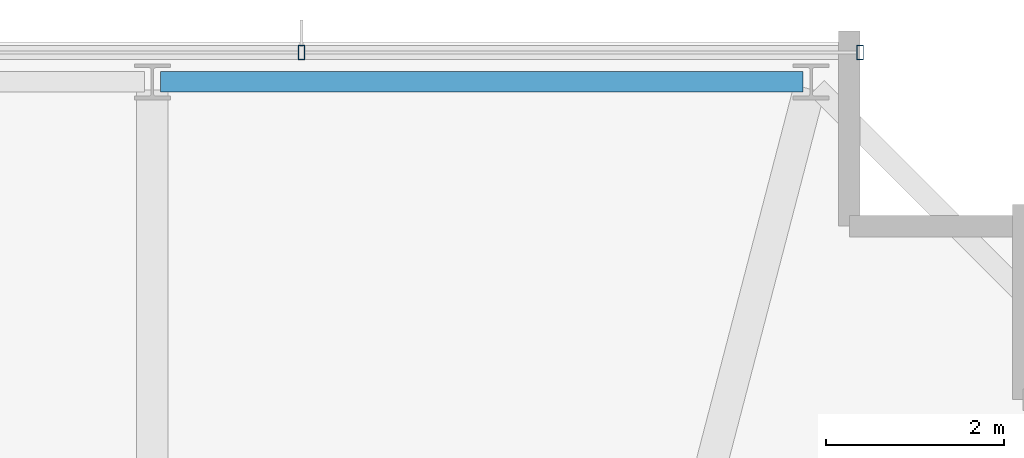
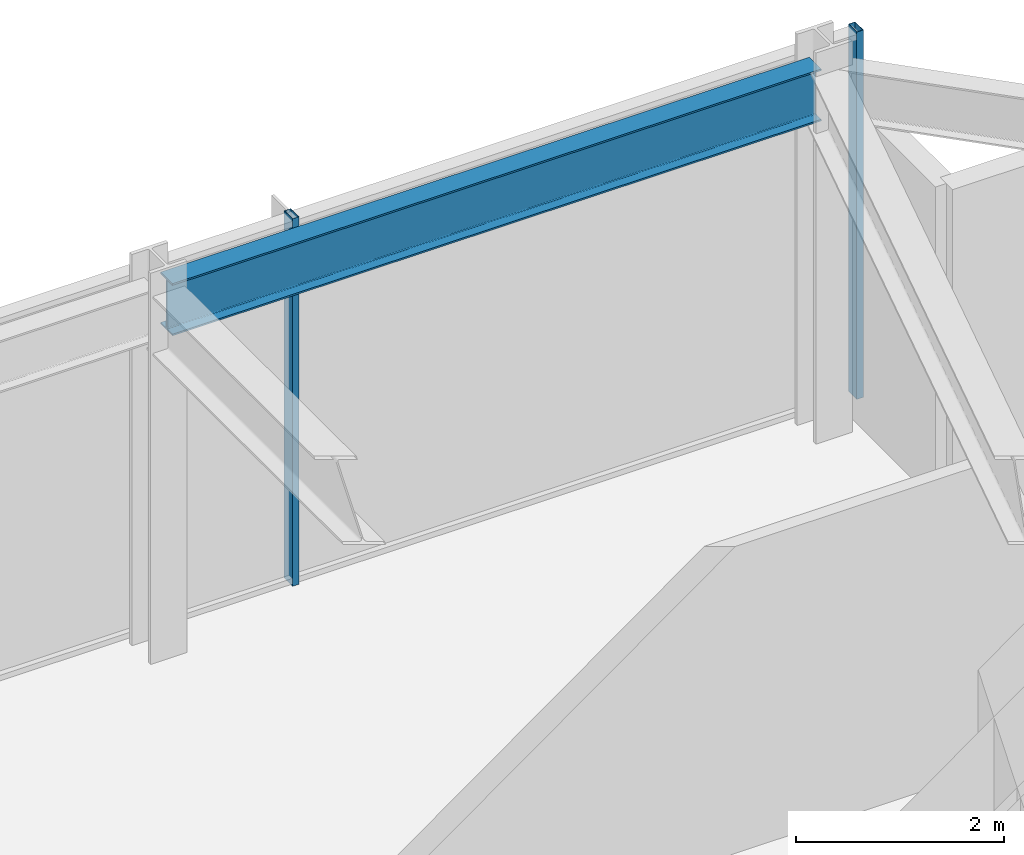
# One storey, part 19 of 30: 2 members, 1 beam, 1 element without a shape of its own.
"""IFC4 building model written with IfcOpenShell, lengths in metres."""

from ifc_helpers import new_model, si_unit, direction, frame, origin, origin_2d, place, context, subcontext, project, spatial, hollow_rectangle, i_section, extrude, material, material_profile, profile_set, type_object, element, aggregate, save


model = new_model("IFC4")

# Units and contexts
model_context = context("Model", 3, precision=1e-05, world=origin(), true_north=direction((0.0, 1.0)))
body_context = subcontext(model_context, "Body", "Model", "MODEL_VIEW")
ifc_project = project(units=[si_unit("LENGTHUNIT", "METRE"), si_unit("AREAUNIT", "SQUARE_METRE"), si_unit("VOLUMEUNIT", "CUBIC_METRE"), si_unit("PLANEANGLEUNIT", "RADIAN"), si_unit("MASSUNIT", "GRAM", prefix="KILO")], contexts=[model_context])

# Site, building, storey
site_placement = place(None, origin())
site = spatial("IfcSite", under=ifc_project, at=site_placement, CompositionType="ELEMENT")
building_placement = place(site_placement, origin())
building = spatial("IfcBuilding", under=site, at=building_placement, Name="Kolvaren Belvedere", CompositionType="ELEMENT")
storey_placement = place(building_placement, frame((0.0, 0.0, 262.800048828125)))
storey = spatial("IfcBuildingStorey", under=building, at=storey_placement, Name="L76", CompositionType="ELEMENT", Elevation=262.800048828125)

# Beam
ifc_material_1 = material(Name="Structural steel ASTM A992 Grade 50", Category="steel")
ifc_material_profile_1 = material_profile(ifc_material_1, i_section(OverallWidth=0.22900390625, OverallDepth=0.612060546875, WebThickness=0.011962890625, FlangeThickness=0.01953125, FilletRadius=0.01806640625, at=origin_2d()), Name="W24X84")
ifc_profile_set_1 = profile_set([ifc_material_profile_1], Name="Structural steel ASTM A992 Grade 50")
beam_type = type_object("IfcBeamType", Name="BM-SPAN-W24X84", PredefinedType="SPANDREL", material=ifc_profile_set_1)
beam_placement = place(storey_placement, frame((11.908447265625, 17.949951171875, 4.013916015625), z_axis=(-1.0, 0.0, 0.0), x_axis=(0.0, -1.0, 0.0)))
element("IfcBeam", 1, at=beam_placement, inside=storey, type_object=beam_type, Name="L76 Perimeter Spandrel N4-N3", PredefinedType="SPANDREL", context=body_context, shape_type="SweptSolid", body=[
    extrude(i_section(OverallWidth=0.22900390625, OverallDepth=0.612060546875, WebThickness=0.011962890625, FlangeThickness=0.01953125, FilletRadius=0.01806640625, at=origin_2d()), origin(), (0.0, 0.0, 1.0), 7.216796875),
])

# Curtain wall, members
ifc_material_2 = material(Name="Anodised pale-metal aluminium AA 6063-T6", Category="aluminium")
curtain_wall_type = type_object("IfcCurtainWallType", Name="CW-CRN-OBS", PredefinedType="NOTDEFINED", material=ifc_material_2)
curtain_wall_placement = place(storey_placement, origin())
curtain_wall = element("IfcCurtainWall", 2, at=curtain_wall_placement, inside=storey, type_object=curtain_wall_type, Name="L76 Unitised Curtain Wall FCW-L76-N", PredefinedType="NOTDEFINED")
ifc_material_3 = material(Name="Anodised pale-metal aluminium AA 6063-T6", Category="aluminium")
ifc_material_profile_2 = material_profile(ifc_material_3, hollow_rectangle(XDim=0.074951171875, YDim=0.159912109375, WallThickness=0.00439453125, at=origin_2d()), Name="ALU-MUL-160X75")
ifc_profile_set_2 = profile_set([ifc_material_profile_2], Name="Anodised pale-metal aluminium AA 6063-T6")
member_type = type_object("IfcMemberType", Name="CW-MUL-160", PredefinedType="MULLION", material=ifc_profile_set_2)
member_1_placement = place(storey_placement, frame((6.27490234375, 18.280029296875, 0.0), z_axis=(0.0, 0.0, 1.0), x_axis=(1.0, 0.0, 0.0)))
member_1 = element("IfcMember", 3, at=member_1_placement, type_object=member_type, Name="FCW-L76-N Unitised Mullion 4", PredefinedType="MULLION", context=body_context, shape_type="SweptSolid", body=[
    extrude(hollow_rectangle(XDim=0.074951171875, YDim=0.159912109375, WallThickness=0.00439453125, at=origin_2d()), origin(), (0.0, 0.0, 1.0), 4.320068359375),
])
member_2_placement = place(storey_placement, frame((12.550048828125, 18.280029296875, 0.0), z_axis=(0.0, 0.0, 1.0), x_axis=(1.0, 0.0, 0.0)))
member_2 = element("IfcMember", 4, at=member_2_placement, type_object=member_type, Name="FCW-L76-N Unitised Mullion 5", PredefinedType="MULLION", context=body_context, shape_type="SweptSolid", body=[
    extrude(hollow_rectangle(XDim=0.074951171875, YDim=0.159912109375, WallThickness=0.00439453125, at=origin_2d()), origin(), (0.0, 0.0, 1.0), 4.320068359375),
])
aggregate(curtain_wall, [member_1, member_2])

save(model, "model.ifc")
